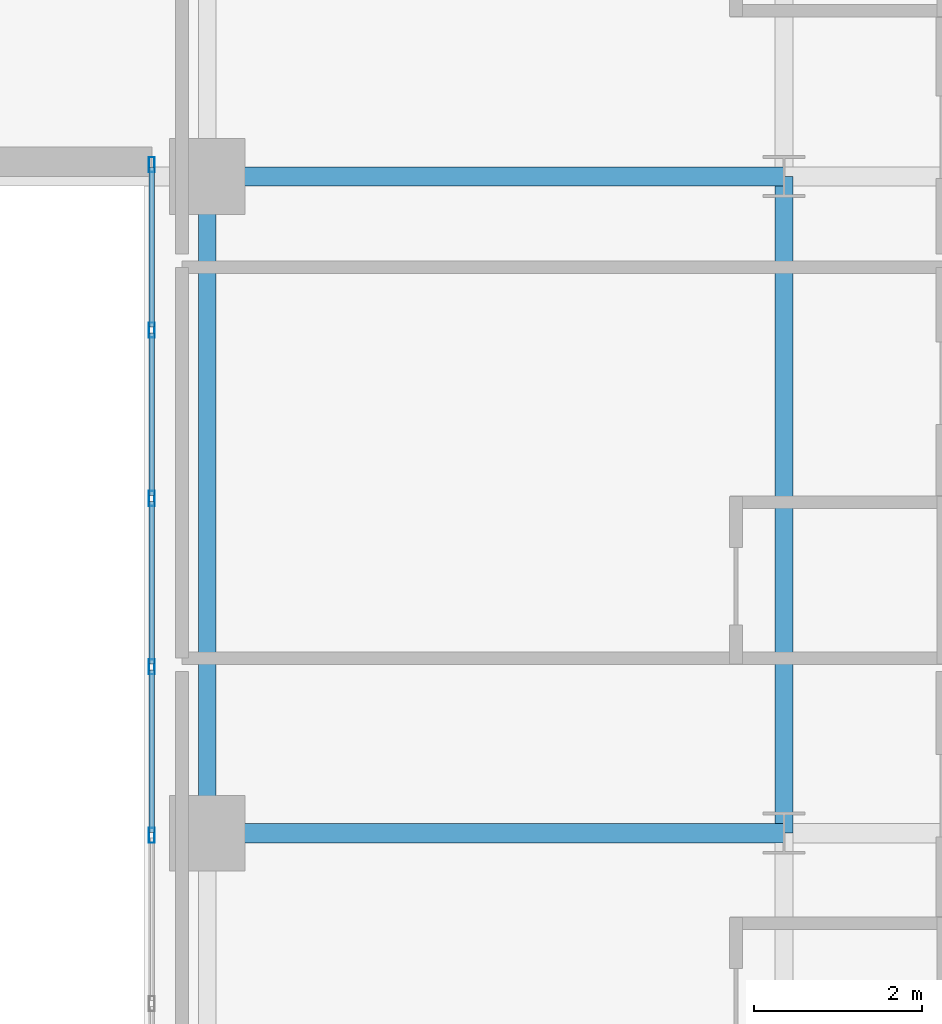
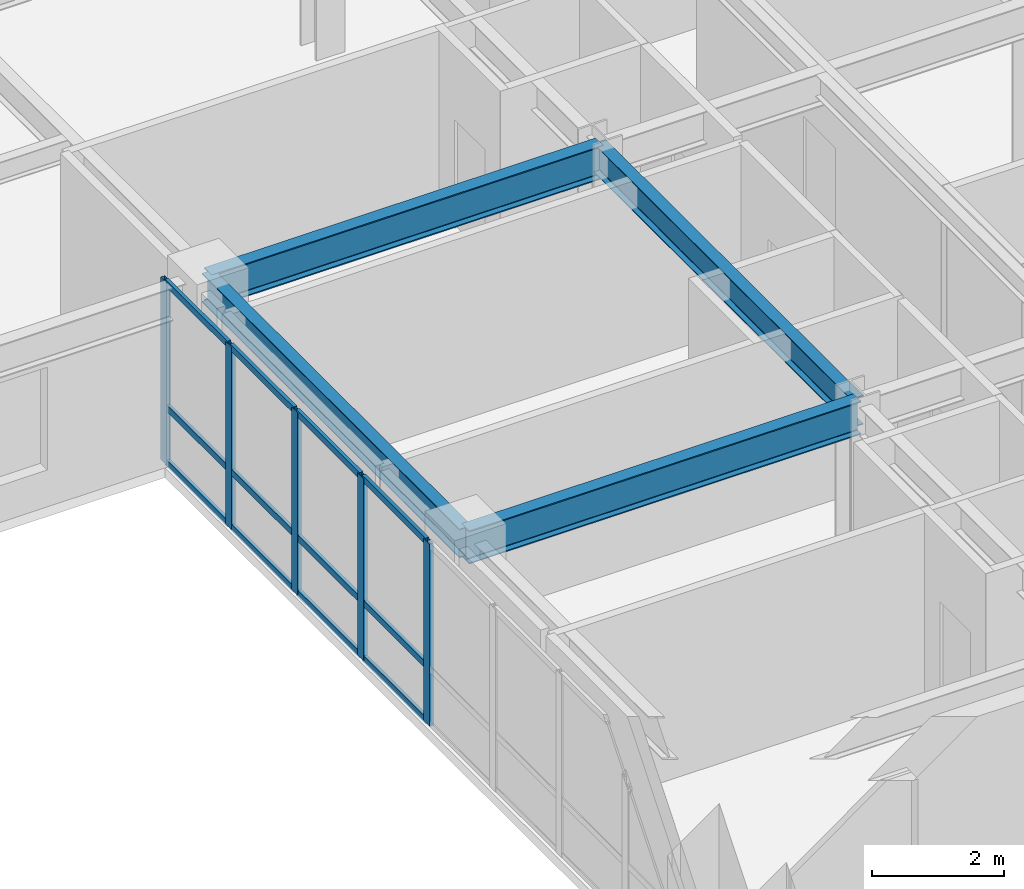
# One storey, part 7 of 16: 17 members, 4 beams, 1 element without a shape of its own.
"""IFC4 building model written with IfcOpenShell, lengths in metres."""

from ifc_helpers import new_model, si_unit, direction, frame, origin, origin_2d, place, context, subcontext, project, spatial, hollow_rectangle, i_section, extrude, source, transform, mapped, material, layer, layer_set, material_profile, profile_set, type_object, type_shapes, element, aggregate, save


model = new_model("IFC4")

# Units and contexts
model_context = context("Model", 3, precision=1e-05, world=origin(), true_north=direction((0.0, 1.0)))
body_context = subcontext(model_context, "Body", "Model", "MODEL_VIEW")
ifc_project = project(units=[si_unit("LENGTHUNIT", "METRE"), si_unit("AREAUNIT", "SQUARE_METRE"), si_unit("VOLUMEUNIT", "CUBIC_METRE"), si_unit("PLANEANGLEUNIT", "RADIAN"), si_unit("MASSUNIT", "GRAM", prefix="KILO")], contexts=[model_context])

# Site, building, storey
site_placement = place(None, origin())
site = spatial("IfcSite", under=ifc_project, at=site_placement, CompositionType="ELEMENT")
building_placement = place(site_placement, origin())
building = spatial("IfcBuilding", under=site, at=building_placement, Name="Tolvann Quenvar Hotel", CompositionType="ELEMENT")
storey_placement = place(building_placement, frame((0.0, 0.0, 85.25)))
storey = spatial("IfcBuildingStorey", under=building, at=storey_placement, Name="L21", CompositionType="ELEMENT", Elevation=85.25)

# Beams
ifc_material_1 = material(Name="Steel Grade 350", Category="steel")
ifc_material_profile_1 = material_profile(ifc_material_1, i_section(OverallWidth=0.22900390625, OverallDepth=0.612060546875, WebThickness=0.011962890625, FlangeThickness=0.01953125, FilletRadius=0.013916015625, at=origin_2d()), Name="610UB125")
ifc_profile_set_1 = profile_set([ifc_material_profile_1], Name="Steel Grade 350")
beam_type_1 = type_object("IfcBeamType", Name="BM_GIRD_610UB125", PredefinedType="BEAM", material=ifc_profile_set_1)
shared_shape_1 = source(origin(), body_context, "Body", "SweptSolid", [
    extrude(i_section(OverallWidth=0.22900390625, OverallDepth=0.612060546875, WebThickness=0.011962890625, FlangeThickness=0.01953125, FilletRadius=0.013916015625, at=origin_2d()), origin(), (0.0, 0.0, 1.0), 6.85009765625),
])
type_shapes(beam_type_1, [shared_shape_1])
for number, where, z_axis, x_axis, name in (
    (1, (34.949951171875, 8.199951171875, 3.06396484375), (1.0, 0.0, 0.0), (0.0, 1.0, 0.0), "BM-L21-EW-3-F3-H3"),
    (2, (34.949951171875, 16.0, 3.06396484375), (1.0, 0.0, 0.0), (0.0, 1.0, 0.0), "BM-L21-EW-4-F4-H4"),
):
    element("IfcBeam", number, at=place(storey_placement, frame(where, z_axis=z_axis, x_axis=x_axis)), inside=storey, type_object=beam_type_1, Name=name, PredefinedType="BEAM", context=body_context, shape_type="MappedRepresentation", body=[
        mapped(shared_shape_1, transform((0.0, 0.0, 0.0), x_axis=(1.0, 0.0, 0.0), y_axis=(0.0, 1.0, 0.0), z_axis=(0.0, 0.0, 1.0), scale=1.0)),
    ])
ifc_material_profile_2 = material_profile(ifc_material_1, i_section(OverallWidth=0.208984375, OverallDepth=0.532958984375, WebThickness=0.01025390625, FlangeThickness=0.015625, FilletRadius=0.013916015625, at=origin_2d()), Name="530UB92")
ifc_profile_set_2 = profile_set([ifc_material_profile_2], Name="Steel Grade 350")
beam_type_2 = type_object("IfcBeamType", Name="BM_GIRD_530UB92", PredefinedType="BEAM", material=ifc_profile_set_2)
shared_shape_2 = source(origin(), body_context, "Body", "SweptSolid", [
    extrude(i_section(OverallWidth=0.208984375, OverallDepth=0.532958984375, WebThickness=0.01025390625, FlangeThickness=0.015625, FilletRadius=0.013916015625, at=origin_2d()), origin(), (0.0, 0.0, 1.0), 7.800048828125),
])
type_shapes(beam_type_2, [shared_shape_2])
for number, where, z_axis, x_axis, name in (
    (3, (34.949951171875, 8.199951171875, 3.103515625), (0.0, 1.0, 0.0), (-1.0, 0.0, 0.0), "BM-L21-NS-F3-F4"),
    (4, (41.800048828125, 8.199951171875, 3.103515625), (0.0, 1.0, 0.0), (-1.0, 0.0, 0.0), "BM-L21-NS-H3-H4"),
):
    element("IfcBeam", number, at=place(storey_placement, frame(where, z_axis=z_axis, x_axis=x_axis)), inside=storey, type_object=beam_type_2, Name=name, PredefinedType="BEAM", context=body_context, shape_type="MappedRepresentation", body=[
        mapped(shared_shape_2, transform((0.0, 0.0, 0.0), x_axis=(1.0, 0.0, 0.0), y_axis=(0.0, 1.0, 0.0), z_axis=(0.0, 0.0, 1.0), scale=1.0)),
    ])

# Curtain wall, members
ifc_material_2 = material(Name="Thermally broken anodised architectural aluminium 6063-T6 and laminated low-E glass", Category="aluminium")
ifc_layer = layer(ifc_material_2, 0.179931640625)
ifc_layer_set = layer_set([ifc_layer], Name="Thermally broken anodised architectural aluminium 6063-T6 and laminated low-E glass")
curtain_wall_type = type_object("IfcCurtainWallType", Name="CW_SYS_SLOT_03", PredefinedType="USERDEFINED", material=ifc_layer_set)
curtain_wall_placement = place(storey_placement, origin())
curtain_wall = element("IfcCurtainWall", 5, at=curtain_wall_placement, inside=storey, type_object=curtain_wall_type, Name="Curtain Wall CW-SLOT-03 (CWR-L21-E07)", ObjectType="UNITISED CURTAIN WALL", PredefinedType="USERDEFINED")
ifc_material_3 = material(Name="Anodised architectural aluminium 6063-T6 framing", Category="aluminium")
ifc_material_profile_3 = material_profile(ifc_material_3, hollow_rectangle(XDim=0.070068359375, YDim=0.179931640625, WallThickness=0.00390625, at=origin_2d()), Name="180x70x4RHS")
ifc_profile_set_3 = profile_set([ifc_material_profile_3], Name="Anodised architectural aluminium 6063-T6 framing")
member_type_1 = type_object("IfcMemberType", Name="CW_MULL_180x70", PredefinedType="MULLION", material=ifc_profile_set_3)
shared_shape_3 = source(origin(), body_context, "Body", "SweptSolid", [
    extrude(hollow_rectangle(XDim=0.070068359375, YDim=0.179931640625, WallThickness=0.00390625, at=origin_2d()), origin(), (0.0, 0.0, 1.0), 3.3701171875),
])
type_shapes(member_type_1, [shared_shape_3])
member_1_placement = place(storey_placement, frame((34.2900390625, 16.139892578125, 0.0), z_axis=(0.0, 0.0, 1.0), x_axis=(1.0, 0.0, 0.0)))
member_1 = element("IfcMember", 6, at=member_1_placement, type_object=member_type_1, Name="CW-SLOT-03 mullion 1", PredefinedType="MULLION", context=body_context, shape_type="MappedRepresentation", body=[
    mapped(shared_shape_3, transform((0.0, 0.0, 0.0), x_axis=(1.0, 0.0, 0.0), y_axis=(0.0, 1.0, 0.0), z_axis=(0.0, 0.0, 1.0), scale=1.0)),
])
member_2_placement = place(storey_placement, frame((34.2900390625, 14.175048828125, 0.0), z_axis=(0.0, 0.0, 1.0), x_axis=(1.0, 0.0, 0.0)))
member_2 = element("IfcMember", 7, at=member_2_placement, type_object=member_type_1, Name="CW-SLOT-03 mullion 2", PredefinedType="MULLION", context=body_context, shape_type="MappedRepresentation", body=[
    mapped(shared_shape_3, transform((0.0, 0.0, 0.0), x_axis=(1.0, 0.0, 0.0), y_axis=(0.0, 1.0, 0.0), z_axis=(0.0, 0.0, 1.0), scale=1.0)),
])
member_3_placement = place(storey_placement, frame((34.2900390625, 12.175048828125, 0.0), z_axis=(0.0, 0.0, 1.0), x_axis=(1.0, 0.0, 0.0)))
member_3 = element("IfcMember", 8, at=member_3_placement, type_object=member_type_1, Name="CW-SLOT-03 mullion 3", PredefinedType="MULLION", context=body_context, shape_type="MappedRepresentation", body=[
    mapped(shared_shape_3, transform((0.0, 0.0, 0.0), x_axis=(1.0, 0.0, 0.0), y_axis=(0.0, 1.0, 0.0), z_axis=(0.0, 0.0, 1.0), scale=1.0)),
])
member_4_placement = place(storey_placement, frame((34.2900390625, 10.175048828125, 0.0), z_axis=(0.0, 0.0, 1.0), x_axis=(1.0, 0.0, 0.0)))
member_4 = element("IfcMember", 9, at=member_4_placement, type_object=member_type_1, Name="CW-SLOT-03 mullion 4", PredefinedType="MULLION", context=body_context, shape_type="MappedRepresentation", body=[
    mapped(shared_shape_3, transform((0.0, 0.0, 0.0), x_axis=(1.0, 0.0, 0.0), y_axis=(0.0, 1.0, 0.0), z_axis=(0.0, 0.0, 1.0), scale=1.0)),
])
member_5_placement = place(storey_placement, frame((34.2900390625, 8.175048828125, 0.0), z_axis=(0.0, 0.0, 1.0), x_axis=(1.0, 0.0, 0.0)))
member_5 = element("IfcMember", 10, at=member_5_placement, type_object=member_type_1, Name="CW-SLOT-03 mullion 5", PredefinedType="MULLION", context=body_context, shape_type="MappedRepresentation", body=[
    mapped(shared_shape_3, transform((0.0, 0.0, 0.0), x_axis=(1.0, 0.0, 0.0), y_axis=(0.0, 1.0, 0.0), z_axis=(0.0, 0.0, 1.0), scale=1.0)),
])
ifc_material_profile_4 = material_profile(ifc_material_3, hollow_rectangle(XDim=0.06005859375, YDim=0.1201171875, WallThickness=0.00341796875, at=origin_2d()), Name="120x60x3.5RHS")
ifc_profile_set_4 = profile_set([ifc_material_profile_4], Name="Anodised architectural aluminium 6063-T6 framing")
member_type_2 = type_object("IfcMemberType", Name="CW_TRAN_120x60", PredefinedType="USERDEFINED", material=ifc_profile_set_4)
shared_shape_4 = source(origin(), body_context, "Body", "SweptSolid", [
    extrude(hollow_rectangle(XDim=0.06005859375, YDim=0.1201171875, WallThickness=0.00341796875, at=origin_2d()), origin(), (0.0, 0.0, 1.0), 1.929931640625),
])
member_6_placement = place(storey_placement, frame((34.2900390625, 14.139892578125, 0.030029296875), z_axis=(0.0, -1.0, 0.0), x_axis=(1.0, 0.0, 0.0)))
member_6 = element("IfcMember", 11, at=member_6_placement, type_object=member_type_2, Name="CW-SLOT-03 transom 2.1", ObjectType="TRANSOM", PredefinedType="USERDEFINED", context=body_context, shape_type="MappedRepresentation", body=[
    mapped(shared_shape_4, transform((0.0, 0.0, 0.0), x_axis=(1.0, 0.0, 0.0), y_axis=(0.0, 1.0, 0.0), z_axis=(0.0, 0.0, 1.0), scale=1.0)),
])
member_7_placement = place(storey_placement, frame((34.2900390625, 14.139892578125, 1.050048828125), z_axis=(0.0, -1.0, 0.0), x_axis=(1.0, 0.0, 0.0)))
member_7 = element("IfcMember", 12, at=member_7_placement, type_object=member_type_2, Name="CW-SLOT-03 transom 2.2", ObjectType="TRANSOM", PredefinedType="USERDEFINED", context=body_context, shape_type="MappedRepresentation", body=[
    mapped(shared_shape_4, transform((0.0, 0.0, 0.0), x_axis=(1.0, 0.0, 0.0), y_axis=(0.0, 1.0, 0.0), z_axis=(0.0, 0.0, 1.0), scale=1.0)),
])
member_8_placement = place(storey_placement, frame((34.2900390625, 14.139892578125, 3.340087890625), z_axis=(0.0, -1.0, 0.0), x_axis=(1.0, 0.0, 0.0)))
member_8 = element("IfcMember", 13, at=member_8_placement, type_object=member_type_2, Name="CW-SLOT-03 transom 2.3", ObjectType="TRANSOM", PredefinedType="USERDEFINED", context=body_context, shape_type="MappedRepresentation", body=[
    mapped(shared_shape_4, transform((0.0, 0.0, 0.0), x_axis=(1.0, 0.0, 0.0), y_axis=(0.0, 1.0, 0.0), z_axis=(0.0, 0.0, 1.0), scale=1.0)),
])
member_9_placement = place(storey_placement, frame((34.2900390625, 12.139892578125, 0.030029296875), z_axis=(0.0, -1.0, 0.0), x_axis=(1.0, 0.0, 0.0)))
member_9 = element("IfcMember", 14, at=member_9_placement, type_object=member_type_2, Name="CW-SLOT-03 transom 3.1", ObjectType="TRANSOM", PredefinedType="USERDEFINED", context=body_context, shape_type="MappedRepresentation", body=[
    mapped(shared_shape_4, transform((0.0, 0.0, 0.0), x_axis=(1.0, 0.0, 0.0), y_axis=(0.0, 1.0, 0.0), z_axis=(0.0, 0.0, 1.0), scale=1.0)),
])
member_10_placement = place(storey_placement, frame((34.2900390625, 12.139892578125, 1.050048828125), z_axis=(0.0, -1.0, 0.0), x_axis=(1.0, 0.0, 0.0)))
member_10 = element("IfcMember", 15, at=member_10_placement, type_object=member_type_2, Name="CW-SLOT-03 transom 3.2", ObjectType="TRANSOM", PredefinedType="USERDEFINED", context=body_context, shape_type="MappedRepresentation", body=[
    mapped(shared_shape_4, transform((0.0, 0.0, 0.0), x_axis=(1.0, 0.0, 0.0), y_axis=(0.0, 1.0, 0.0), z_axis=(0.0, 0.0, 1.0), scale=1.0)),
])
member_11_placement = place(storey_placement, frame((34.2900390625, 12.139892578125, 3.340087890625), z_axis=(0.0, -1.0, 0.0), x_axis=(1.0, 0.0, 0.0)))
member_11 = element("IfcMember", 16, at=member_11_placement, type_object=member_type_2, Name="CW-SLOT-03 transom 3.3", ObjectType="TRANSOM", PredefinedType="USERDEFINED", context=body_context, shape_type="MappedRepresentation", body=[
    mapped(shared_shape_4, transform((0.0, 0.0, 0.0), x_axis=(1.0, 0.0, 0.0), y_axis=(0.0, 1.0, 0.0), z_axis=(0.0, 0.0, 1.0), scale=1.0)),
])
member_12_placement = place(storey_placement, frame((34.2900390625, 10.139892578125, 0.030029296875), z_axis=(0.0, -1.0, 0.0), x_axis=(1.0, 0.0, 0.0)))
member_12 = element("IfcMember", 17, at=member_12_placement, type_object=member_type_2, Name="CW-SLOT-03 transom 4.1", ObjectType="TRANSOM", PredefinedType="USERDEFINED", context=body_context, shape_type="MappedRepresentation", body=[
    mapped(shared_shape_4, transform((0.0, 0.0, 0.0), x_axis=(1.0, 0.0, 0.0), y_axis=(0.0, 1.0, 0.0), z_axis=(0.0, 0.0, 1.0), scale=1.0)),
])
member_13_placement = place(storey_placement, frame((34.2900390625, 10.139892578125, 1.050048828125), z_axis=(0.0, -1.0, 0.0), x_axis=(1.0, 0.0, 0.0)))
member_13 = element("IfcMember", 18, at=member_13_placement, type_object=member_type_2, Name="CW-SLOT-03 transom 4.2", ObjectType="TRANSOM", PredefinedType="USERDEFINED", context=body_context, shape_type="MappedRepresentation", body=[
    mapped(shared_shape_4, transform((0.0, 0.0, 0.0), x_axis=(1.0, 0.0, 0.0), y_axis=(0.0, 1.0, 0.0), z_axis=(0.0, 0.0, 1.0), scale=1.0)),
])
member_14_placement = place(storey_placement, frame((34.2900390625, 10.139892578125, 3.340087890625), z_axis=(0.0, -1.0, 0.0), x_axis=(1.0, 0.0, 0.0)))
member_14 = element("IfcMember", 19, at=member_14_placement, type_object=member_type_2, Name="CW-SLOT-03 transom 4.3", ObjectType="TRANSOM", PredefinedType="USERDEFINED", context=body_context, shape_type="MappedRepresentation", body=[
    mapped(shared_shape_4, transform((0.0, 0.0, 0.0), x_axis=(1.0, 0.0, 0.0), y_axis=(0.0, 1.0, 0.0), z_axis=(0.0, 0.0, 1.0), scale=1.0)),
])
shared_shape_5 = source(origin(), body_context, "Body", "SweptSolid", [
    extrude(hollow_rectangle(XDim=0.06005859375, YDim=0.1201171875, WallThickness=0.00341796875, at=origin_2d()), origin(), (0.0, 0.0, 1.0), 1.89501953125),
])
type_shapes(member_type_2, [shared_shape_4, shared_shape_5])
member_15_placement = place(storey_placement, frame((34.2900390625, 16.10498046875, 0.030029296875), z_axis=(0.0, -1.0, 0.0), x_axis=(1.0, 0.0, 0.0)))
member_15 = element("IfcMember", 20, at=member_15_placement, type_object=member_type_2, Name="CW-SLOT-03 transom 1.1", ObjectType="TRANSOM", PredefinedType="USERDEFINED", context=body_context, shape_type="MappedRepresentation", body=[
    mapped(shared_shape_5, transform((0.0, 0.0, 0.0), x_axis=(1.0, 0.0, 0.0), y_axis=(0.0, 1.0, 0.0), z_axis=(0.0, 0.0, 1.0), scale=1.0)),
])
member_16_placement = place(storey_placement, frame((34.2900390625, 16.10498046875, 1.050048828125), z_axis=(0.0, -1.0, 0.0), x_axis=(1.0, 0.0, 0.0)))
member_16 = element("IfcMember", 21, at=member_16_placement, type_object=member_type_2, Name="CW-SLOT-03 transom 1.2", ObjectType="TRANSOM", PredefinedType="USERDEFINED", context=body_context, shape_type="MappedRepresentation", body=[
    mapped(shared_shape_5, transform((0.0, 0.0, 0.0), x_axis=(1.0, 0.0, 0.0), y_axis=(0.0, 1.0, 0.0), z_axis=(0.0, 0.0, 1.0), scale=1.0)),
])
member_17_placement = place(storey_placement, frame((34.2900390625, 16.10498046875, 3.340087890625), z_axis=(0.0, -1.0, 0.0), x_axis=(1.0, 0.0, 0.0)))
member_17 = element("IfcMember", 22, at=member_17_placement, type_object=member_type_2, Name="CW-SLOT-03 transom 1.3", ObjectType="TRANSOM", PredefinedType="USERDEFINED", context=body_context, shape_type="MappedRepresentation", body=[
    mapped(shared_shape_5, transform((0.0, 0.0, 0.0), x_axis=(1.0, 0.0, 0.0), y_axis=(0.0, 1.0, 0.0), z_axis=(0.0, 0.0, 1.0), scale=1.0)),
])
aggregate(curtain_wall, [member_1, member_2, member_3, member_4, member_5, member_15, member_16, member_17, member_6, member_7, member_8, member_9, member_10, member_11, member_12, member_13, member_14])

save(model, "model.ifc")
